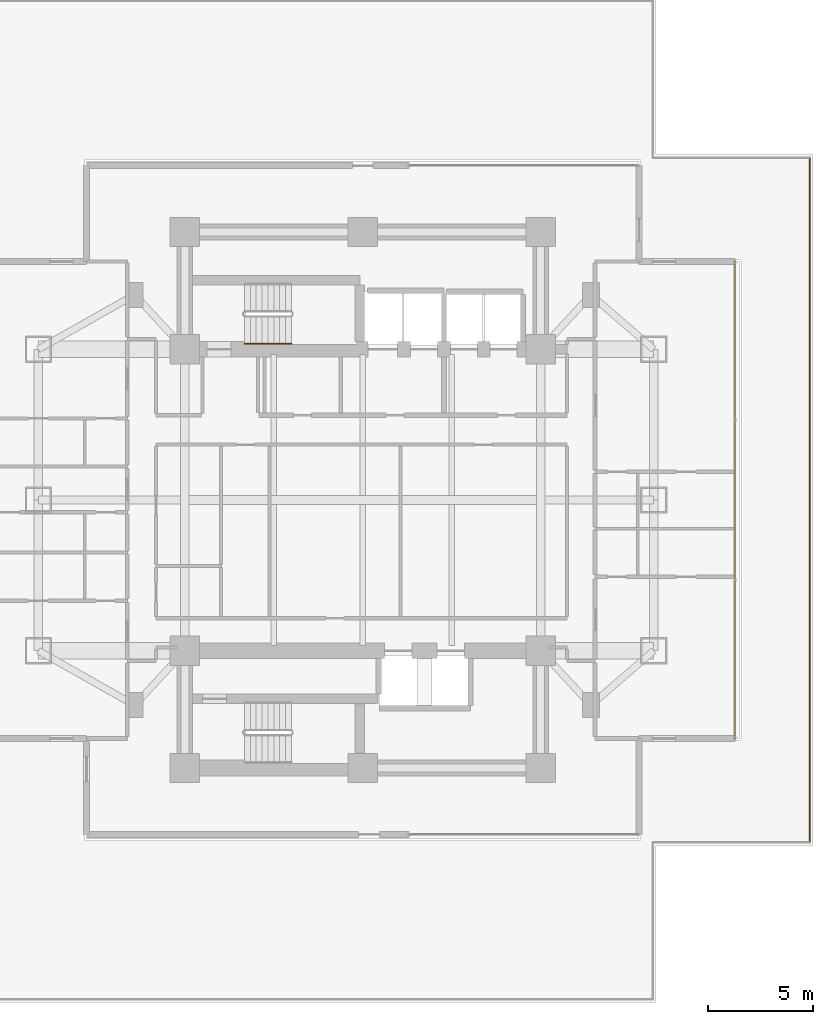
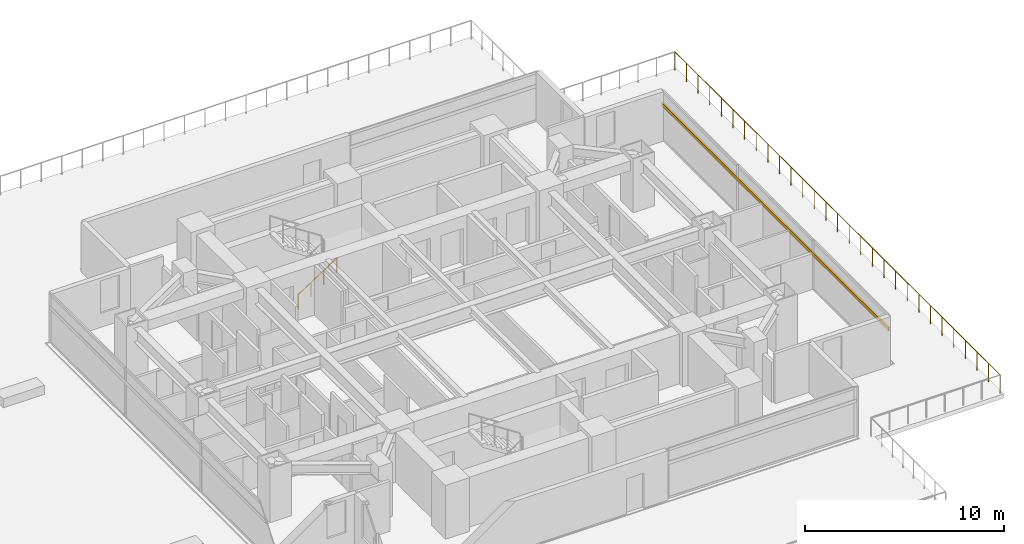
# One storey, part 25 of 26: 2 railings, 1 shading device.
"""IFC4 building model written with IfcOpenShell, lengths in metres."""

from ifc_helpers import new_model, si_unit, direction, frame, origin, origin_2d, place, context, subcontext, project, spatial, rectangle, circle, extrude, material, material_profile, profile_set, type_object, element, save


model = new_model("IFC4")

# Units and contexts
model_context = context("Model", 3, precision=1e-05, world=origin(), true_north=direction((0.0, 1.0)))
body_context = subcontext(model_context, "Body", "Model", "MODEL_VIEW")
ifc_project = project(units=[si_unit("LENGTHUNIT", "METRE"), si_unit("AREAUNIT", "SQUARE_METRE"), si_unit("VOLUMEUNIT", "CUBIC_METRE"), si_unit("PLANEANGLEUNIT", "RADIAN"), si_unit("MASSUNIT", "GRAM", prefix="KILO")], contexts=[model_context])

# Site, building, storey
site_placement = place(None, origin())
site = spatial("IfcSite", under=ifc_project, at=site_placement, CompositionType="ELEMENT")
building_placement = place(site_placement, origin())
building = spatial("IfcBuilding", under=site, at=building_placement, Name="Mirazonda Arch Towers", CompositionType="ELEMENT")
storey_placement = place(building_placement, frame((0.0, 0.0, 22.39990234375)))
storey = spatial("IfcBuildingStorey", under=building, at=storey_placement, Name="L05", CompositionType="ELEMENT", Elevation=22.39990234375)

# Shading device
ifc_material_1 = material(Name="Kiln-Fired Architectural Terracotta", Category="masonry")
ifc_material_profile = material_profile(ifc_material_1, rectangle(XDim=0.10009765625, YDim=0.199951171875, at=origin_2d()), Name="TERRA-BAG-100x200")
ifc_profile_set = profile_set([ifc_material_profile], Name="Kiln-Fired Architectural Terracotta")
shading_device_type = type_object("IfcShadingDeviceType", Name="BAGUETTE-2", PredefinedType="USERDEFINED", material=ifc_profile_set)
shading_device_placement = place(storey_placement, frame((94.280029296875, 16.60009765625, 2.18896484375), z_axis=(0.0, 1.0, 0.0), x_axis=(-1.0, 0.0, 0.0)))
element("IfcShadingDevice", 1, at=shading_device_placement, inside=storey, type_object=shading_device_type, Name="L05 Glazed Terracotta Sun-Screen Baguette CW-L05-T2-E", ObjectType="BAGUETTE", PredefinedType="USERDEFINED", context=body_context, shape_type="SweptSolid", body=[
    extrude(rectangle(XDim=0.10009765625, YDim=0.199951171875, at=origin_2d()), origin(), (0.0, 0.0, 1.0), 22.7998046875),
])

# Railings
ifc_material_2 = material(Name="Architectural Brushed Steel S355", Category="steel")
railing_type_1 = type_object("IfcRailingType", Name="GUARD-EXT-1150", PredefinedType="GUARDRAIL", material=ifc_material_2)
railing_1_placement = place(storey_placement, frame((97.860107421875, 11.639892578125, 0.0)))
element("IfcRailing", 2, at=railing_1_placement, inside=storey, type_object=railing_type_1, Name="L05 Podium Roof Terrace Perimeter Guard 05", PredefinedType="GUARDRAIL", context=body_context, shape_type="SweptSolid", body=[
    extrude(circle(Radius=0.02392578125, at=origin_2d()), frame((0.0, 0.0, 1.1259765625), z_axis=(0.0, 1.0, 0.0), x_axis=(-1.0, 0.0, 0.0)), (0.0, 0.0, 1.0), 32.72021484375),
    extrude(circle(Radius=0.02099609375, at=origin_2d()), origin(), (0.0, 0.0, 1.0), 1.101806640625),
    extrude(circle(Radius=0.02099609375, at=origin_2d()), frame((0.0, 1.16845703125, 0.0)), (0.0, 0.0, 1.0), 1.101806640625),
    extrude(circle(Radius=0.02099609375, at=origin_2d()), frame((0.0, 2.337158203125, 0.0)), (0.0, 0.0, 1.0), 1.101806640625),
    extrude(circle(Radius=0.02099609375, at=origin_2d()), frame((0.0, 3.505859375, 0.0)), (0.0, 0.0, 1.0), 1.101806640625),
    extrude(circle(Radius=0.02099609375, at=origin_2d()), frame((0.0, 4.67431640625, 0.0)), (0.0, 0.0, 1.0), 1.101806640625),
    extrude(circle(Radius=0.02099609375, at=origin_2d()), frame((0.0, 5.8427734375, 0.0)), (0.0, 0.0, 1.0), 1.101806640625),
    extrude(circle(Radius=0.02099609375, at=origin_2d()), frame((0.0, 7.011474609375, 0.0)), (0.0, 0.0, 1.0), 1.101806640625),
    extrude(circle(Radius=0.02099609375, at=origin_2d()), frame((0.0, 8.18017578125, 0.0)), (0.0, 0.0, 1.0), 1.101806640625),
    extrude(circle(Radius=0.02099609375, at=origin_2d()), frame((0.0, 9.3486328125, 0.0)), (0.0, 0.0, 1.0), 1.101806640625),
    extrude(circle(Radius=0.02099609375, at=origin_2d()), frame((0.0, 10.51708984375, 0.0)), (0.0, 0.0, 1.0), 1.101806640625),
    extrude(circle(Radius=0.02099609375, at=origin_2d()), frame((0.0, 11.685791015625, 0.0)), (0.0, 0.0, 1.0), 1.101806640625),
    extrude(circle(Radius=0.02099609375, at=origin_2d()), frame((0.0, 12.8544921875, 0.0)), (0.0, 0.0, 1.0), 1.101806640625),
    extrude(circle(Radius=0.02099609375, at=origin_2d()), frame((0.0, 14.02294921875, 0.0)), (0.0, 0.0, 1.0), 1.101806640625),
    extrude(circle(Radius=0.02099609375, at=origin_2d()), frame((0.0, 15.19140625, 0.0)), (0.0, 0.0, 1.0), 1.101806640625),
    extrude(circle(Radius=0.02099609375, at=origin_2d()), frame((0.0, 16.360107421875, 0.0)), (0.0, 0.0, 1.0), 1.101806640625),
    extrude(circle(Radius=0.02099609375, at=origin_2d()), frame((0.0, 17.52880859375, 0.0)), (0.0, 0.0, 1.0), 1.101806640625),
    extrude(circle(Radius=0.02099609375, at=origin_2d()), frame((0.0, 18.697265625, 0.0)), (0.0, 0.0, 1.0), 1.101806640625),
    extrude(circle(Radius=0.02099609375, at=origin_2d()), frame((0.0, 19.86572265625, 0.0)), (0.0, 0.0, 1.0), 1.101806640625),
    extrude(circle(Radius=0.02099609375, at=origin_2d()), frame((0.0, 21.034423828125, 0.0)), (0.0, 0.0, 1.0), 1.101806640625),
    extrude(circle(Radius=0.02099609375, at=origin_2d()), frame((0.0, 22.203125, 0.0)), (0.0, 0.0, 1.0), 1.101806640625),
    extrude(circle(Radius=0.02099609375, at=origin_2d()), frame((0.0, 23.37158203125, 0.0)), (0.0, 0.0, 1.0), 1.101806640625),
    extrude(circle(Radius=0.02099609375, at=origin_2d()), frame((0.0, 24.5400390625, 0.0)), (0.0, 0.0, 1.0), 1.101806640625),
    extrude(circle(Radius=0.02099609375, at=origin_2d()), frame((0.0, 25.708740234375, 0.0)), (0.0, 0.0, 1.0), 1.101806640625),
    extrude(circle(Radius=0.02099609375, at=origin_2d()), frame((0.0, 26.87744140625, 0.0)), (0.0, 0.0, 1.0), 1.101806640625),
    extrude(circle(Radius=0.02099609375, at=origin_2d()), frame((0.0, 28.0458984375, 0.0)), (0.0, 0.0, 1.0), 1.101806640625),
    extrude(circle(Radius=0.02099609375, at=origin_2d()), frame((0.0, 29.21435546875, 0.0)), (0.0, 0.0, 1.0), 1.101806640625),
    extrude(circle(Radius=0.02099609375, at=origin_2d()), frame((0.0, 30.383056640625, 0.0)), (0.0, 0.0, 1.0), 1.101806640625),
    extrude(circle(Radius=0.02099609375, at=origin_2d()), frame((0.0, 31.5517578125, 0.0)), (0.0, 0.0, 1.0), 1.101806640625),
    extrude(circle(Radius=0.02099609375, at=origin_2d()), frame((0.0, 32.72021484375, 0.0)), (0.0, 0.0, 1.0), 1.101806640625),
])
railing_type_2 = type_object("IfcRailingType", Name="HANDRAIL-915", PredefinedType="HANDRAIL", material=ifc_material_2)
railing_2_placement = place(storey_placement, frame((70.85009765625, 35.469970703125, 0.183349609375)))
element("IfcRailing", 3, at=railing_2_placement, inside=storey, type_object=railing_type_2, Name="L05 ST-T2N stair handrail 1", PredefinedType="HANDRAIL", context=body_context, shape_type="SweptSolid", body=[
    extrude(circle(Radius=0.02392578125, at=origin_2d()), frame((0.0, 0.0, 0.8759765625), z_axis=(0.836595146698, 0.0, 0.547821650285), x_axis=(0.0, 1.0, 0.0)), (0.0, 0.0, 1.0), 2.677490234375),
    extrude(circle(Radius=0.02099609375, at=origin_2d()), origin(), (0.0, 0.0, 1.0), 0.851806640625),
    extrude(circle(Radius=0.02099609375, at=origin_2d()), frame((0.74658203125, 0.0, 0.489013671875)), (0.0, 0.0, 1.0), 0.851806640625),
    extrude(circle(Radius=0.02099609375, at=origin_2d()), frame((1.493408203125, 0.0, 0.977783203125)), (0.0, 0.0, 1.0), 0.851806640625),
    extrude(circle(Radius=0.02099609375, at=origin_2d()), frame((2.239990234375, 0.0, 1.466796875)), (0.0, 0.0, 1.0), 0.851806640625),
])

save(model, "model.ifc")
